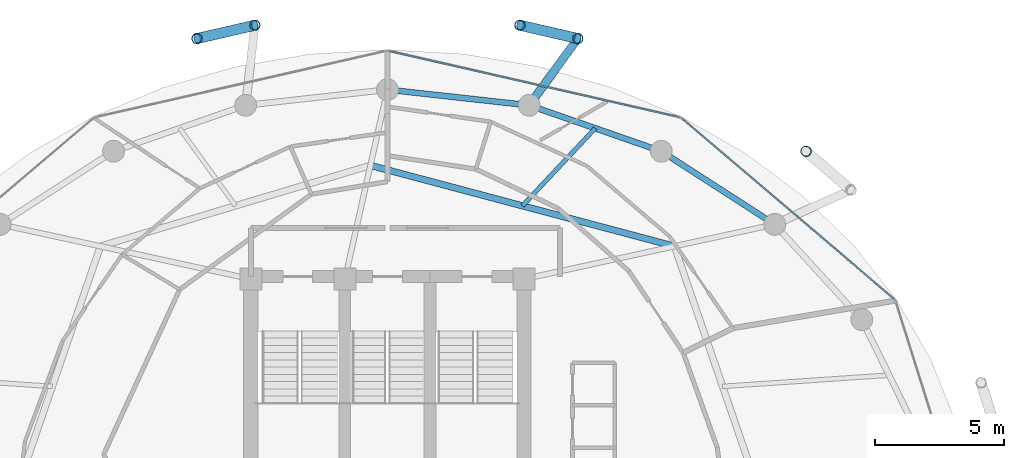
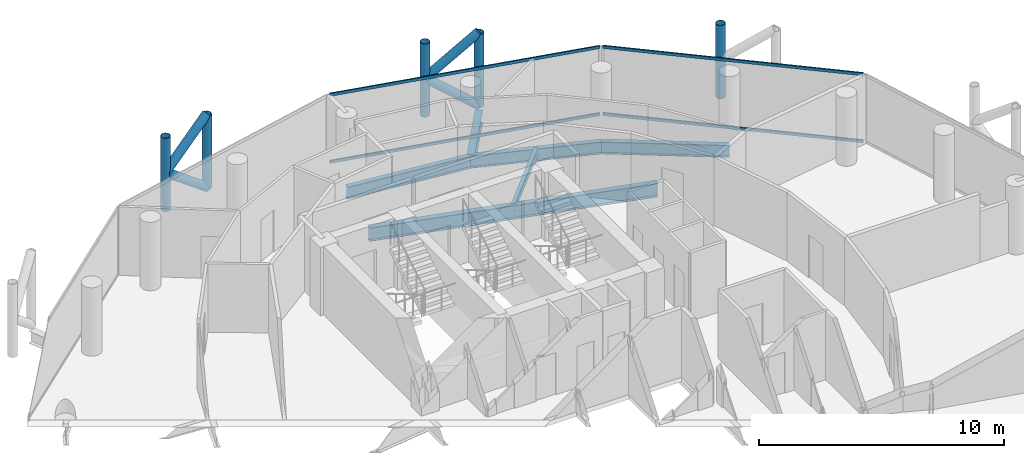
# One storey, part 20 of 27: 13 members, 6 beams, 2 elements without a shape of their own.
"""IFC4 building model written with IfcOpenShell, lengths in metres."""

import ifcopenshell
import ifcopenshell.guid

model = None  # the IFC model being written
_history = None  # IfcOwnerHistory: only IFC2X3 demands one
_inside = {}  # id of a spatial element -> (the spatial element, [elements in it])
_under = {}  # id of a project, library or spatial element -> (it, [spatial elements below it])
_declared = {}  # id of a project -> (the project, [libraries it declares])
_typed = {}  # id of a type object -> (the type object, [elements of that type])
_made_of = {}  # id of a material, layer set ... -> (it, [elements and type objects made of it])


def new_model(schema):
    """Start an empty IFC model of exactly this schema.

    Asked for "IFC4X3", IfcOpenShell would pick the latest addendum, in which some entities
    have other attributes; the version numbers below select the first issue.
    IFC2X3 requires an IfcOwnerHistory on every rooted entity: one is made here for all.
    """
    global model, _history
    if schema == "IFC4X3":
        model = ifcopenshell.file(schema_version=(4, 3, 0, 0))
    else:
        model = ifcopenshell.file(schema=schema)
    _inside.clear()
    _under.clear()
    _declared.clear()
    _typed.clear()
    _made_of.clear()
    _history = None
    if model.schema == "IFC2X3":
        org = make("IfcOrganization", Name="unknown")
        user = make(
            "IfcPersonAndOrganization",
            ThePerson=make("IfcPerson", FamilyName="unknown"),
            TheOrganization=org,
        )
        app = make(
            "IfcApplication",
            ApplicationDeveloper=org,
            Version="unknown",
            ApplicationFullName="unknown",
            ApplicationIdentifier="unknown",
        )
        _history = make(
            "IfcOwnerHistory",
            OwningUser=user,
            OwningApplication=app,
            ChangeAction="ADDED",
            CreationDate=0,
        )
    return model


def make(cls, **values):
    """One entity of the class cls with the attributes given. An attribute that is None is left unset."""
    return model.create_entity(
        cls, **{name: value for name, value in values.items() if value is not None}
    )


def rooted(cls, **values):
    """An entity with a GlobalId (a new one), such as an element, a storey or a relation."""
    return make(cls, GlobalId=ifcopenshell.guid.new(), OwnerHistory=_history, **values)


def si_unit(unit_type, name, prefix=None):
    """IfcSIUnit, for example si_unit("LENGTHUNIT", "METRE", prefix="MILLI")."""
    return make("IfcSIUnit", UnitType=unit_type, Prefix=prefix, Name=name)


def assignment(units):
    """IfcUnitAssignment: the units of a project."""
    return None if units is None else make("IfcUnitAssignment", Units=units)


def point(xyz):
    """IfcCartesianPoint."""
    return None if xyz is None else make("IfcCartesianPoint", Coordinates=xyz)


def direction(xyz):
    """IfcDirection."""
    return None if xyz is None else make("IfcDirection", DirectionRatios=xyz)


def frame(location, z_axis=None, x_axis=None):
    """IfcAxis2Placement3D, a coordinate frame: its origin and axes. An axis left out is left unset."""
    return make(
        "IfcAxis2Placement3D",
        Location=point(location),
        Axis=direction(z_axis),
        RefDirection=direction(x_axis),
    )


def frame_2d(location, x_axis=None):
    """IfcAxis2Placement2D, a coordinate frame in the plane: its origin and x axis."""
    return make(
        "IfcAxis2Placement2D", Location=point(location), RefDirection=direction(x_axis)
    )


def origin():
    """The frame at (0, 0, 0) with its axes left unset."""
    return frame((0.0, 0.0, 0.0))


def origin_2d():
    """The frame at (0, 0) in the plane with its x axis left unset."""
    return frame_2d((0.0, 0.0))


def place(relative_to, where):
    """IfcLocalPlacement: puts the frame where relative to a parent placement (None: the world)."""
    return make(
        "IfcLocalPlacement", PlacementRelTo=relative_to, RelativePlacement=where
    )


def context(
    kind, dimensions, precision=None, world=None, true_north=None, identifier=None
):
    """IfcGeometricRepresentationContext, for example the 3D "Model" context."""
    return make(
        "IfcGeometricRepresentationContext",
        ContextIdentifier=identifier,
        ContextType=kind,
        CoordinateSpaceDimension=dimensions,
        Precision=precision,
        WorldCoordinateSystem=world,
        TrueNorth=true_north,
    )


def subcontext(parent, identifier, kind, view, scale=None):
    """IfcGeometricRepresentationSubContext, for example "Body" below "Model"."""
    return make(
        "IfcGeometricRepresentationSubContext",
        ContextIdentifier=identifier,
        ContextType=kind,
        ParentContext=parent,
        TargetScale=scale,
        TargetView=view,
    )


def project(units=None, contexts=None):
    """IfcProject with its units and contexts."""
    return rooted(
        "IfcProject",
        Name="project",
        RepresentationContexts=contexts,
        UnitsInContext=assignment(units),
    )


def spatial(cls, under=None, at=None, **own):
    """A site, building, storey or space (cls), placed at a placement, below another one or the project."""
    s = rooted(cls, ObjectPlacement=at, **own)
    if under is not None:
        _under.setdefault(under.id(), (under, []))[1].append(s)
    return s


def profile(cls, at=None, kind="AREA", **sizes):
    """A parametric profile (cls). Its sizes go by their IFC names, for example OverallWidth=200.0."""
    return make(cls, ProfileType=kind, Position=at, **sizes)


def hollow_rectangle(**sizes):
    """IfcRectangleHollowProfileDef."""
    return profile("IfcRectangleHollowProfileDef", **sizes)


def hollow_circle(**sizes):
    """IfcCircleHollowProfileDef."""
    return profile("IfcCircleHollowProfileDef", **sizes)


def i_section(**sizes):
    """IfcIShapeProfileDef."""
    return profile("IfcIShapeProfileDef", **sizes)


def extrude(swept, where, along, depth):
    """IfcExtrudedAreaSolid: the profile swept, set in the frame where, extruded along a direction by depth."""
    return make(
        "IfcExtrudedAreaSolid",
        SweptArea=swept,
        Position=where,
        ExtrudedDirection=direction(along),
        Depth=depth,
    )


def shape(context_of_items, identifier, shape_type, items):
    """IfcShapeRepresentation: the items that make up one representation, for example the "Body"."""
    return make(
        "IfcShapeRepresentation",
        ContextOfItems=context_of_items,
        RepresentationIdentifier=identifier,
        RepresentationType=shape_type,
        Items=items,
    )


def material(Name=None, Category=None):
    """IfcMaterial."""
    return make("IfcMaterial", Name=Name, Category=Category)


def layer(
    of_material, thickness, ventilated=None, Name=None, Category=None, Priority=None
):
    """IfcMaterialLayer: one layer of a wall or slab, of a material (None: an air gap)."""
    return make(
        "IfcMaterialLayer",
        Material=of_material,
        LayerThickness=thickness,
        IsVentilated=ventilated,
        Name=Name,
        Category=Category,
        Priority=Priority,
    )


def layer_set(layers, Name=None):
    """IfcMaterialLayerSet."""
    return make("IfcMaterialLayerSet", MaterialLayers=layers, LayerSetName=Name)


def material_profile(
    of_material, cross_section, Name=None, Category=None, Priority=None
):
    """IfcMaterialProfile: a cross section and its material."""
    return make(
        "IfcMaterialProfile",
        Name=Name,
        Material=of_material,
        Profile=cross_section,
        Priority=Priority,
        Category=Category,
    )


def profile_set(profiles, Name=None, composite=None):
    """IfcMaterialProfileSet."""
    return make(
        "IfcMaterialProfileSet",
        Name=Name,
        MaterialProfiles=profiles,
        CompositeProfile=composite,
    )


def made_of(thing, what):
    """Note that an element or type object is made of a material, layer set ...; save() writes the relation."""
    if what is not None:
        _made_of.setdefault(what.id(), (what, []))[1].append(thing)
    return thing


def type_object(cls, material=None, **own):
    """A type object (cls), such as IfcWallType, which elements share."""
    return made_of(rooted(cls, **own), material)


def element(
    cls,
    number,
    at=None,
    inside=None,
    cuts=None,
    type_object=None,
    material=None,
    context=None,
    identifier="Body",
    shape_type=None,
    held_by="IfcProductDefinitionShape",
    body=None,
    shapes=None,
    **own,
):
    """One element of the class cls, such as IfcWall. Its Tag is "e" and its number.

    at: its placement. inside: the storey or other place that contains it. cuts: it is an
    opening in that element (IfcRelVoidsElement). A single representation is given by context,
    identifier, shape_type and body (its items); several are given by shapes. held_by: the class
    of the entity that holds the representations. save() writes the other relations.
    """
    e = rooted(cls, Tag="e%d" % number, ObjectPlacement=at, **own)
    if body is not None:
        shapes = [shape(context, identifier, shape_type, body)]
    if shapes is not None:
        e.Representation = make(held_by, Representations=shapes)
    if inside is not None:
        _inside.setdefault(inside.id(), (inside, []))[1].append(e)
    if cuts is not None:
        rooted(
            "IfcRelVoidsElement", RelatingBuildingElement=cuts, RelatedOpeningElement=e
        )
    if type_object is not None:
        _typed.setdefault(type_object.id(), (type_object, []))[1].append(e)
    return made_of(e, material)


def aggregate(whole, parts):
    """IfcRelAggregates: a whole, such as a stair, and the parts it consists of."""
    return rooted("IfcRelAggregates", RelatingObject=whole, RelatedObjects=parts)


def save(model, path):
    """Write the relations noted so far, then the file.

    IfcRelAggregates (storeys below a building ...), IfcRelContainedInSpatialStructure (elements
    in a storey), IfcRelDefinesByType, IfcRelAssociatesMaterial and IfcRelDeclares: one each for
    every whole, place, type object, material and project.
    """
    for whole, parts in _under.values():
        aggregate(whole, parts)
    for where, things in _inside.values():
        rooted(
            "IfcRelContainedInSpatialStructure",
            RelatedElements=things,
            RelatingStructure=where,
        )
    for kind, things in _typed.values():
        rooted("IfcRelDefinesByType", RelatedObjects=things, RelatingType=kind)
    for what, things in _made_of.values():
        rooted("IfcRelAssociatesMaterial", RelatedObjects=things, RelatingMaterial=what)
    for by, libraries in _declared.values():
        rooted("IfcRelDeclares", RelatingContext=by, RelatedDefinitions=libraries)
    model.write(path)


model = new_model("IFC4")

# Units and contexts
model_context = context("Model", 3, precision=1e-05, world=origin(), true_north=direction((0.0, 1.0)))
body_context = subcontext(model_context, "Body", "Model", "MODEL_VIEW")
ifc_project = project(units=[si_unit("LENGTHUNIT", "METRE"), si_unit("AREAUNIT", "SQUARE_METRE"), si_unit("VOLUMEUNIT", "CUBIC_METRE"), si_unit("PLANEANGLEUNIT", "RADIAN"), si_unit("MASSUNIT", "GRAM", prefix="KILO")], contexts=[model_context])

# Site, building, storey
site_placement = place(None, origin())
site = spatial("IfcSite", under=ifc_project, at=site_placement, CompositionType="ELEMENT")
building_placement = place(site_placement, origin())
building = spatial("IfcBuilding", under=site, at=building_placement, Name="Nuhasar Tower", CompositionType="ELEMENT")
storey_placement = place(building_placement, frame((0.0, 0.0, 237.35009765625)))
storey = spatial("IfcBuildingStorey", under=building, at=storey_placement, Name="L58", CompositionType="ELEMENT", Elevation=237.35009765625)

# Beams
ifc_material_1 = material(Name="Steel S355", Category="steel")
ifc_material_profile_1 = material_profile(ifc_material_1, i_section(OverallWidth=0.25390625, OverallDepth=0.68408203125, WebThickness=0.012451171875, FlangeThickness=0.018798828125, at=origin_2d()), Name="W27X94")
ifc_profile_set_1 = profile_set([ifc_material_profile_1], Name="Steel S355")
beam_type_1 = type_object("IfcBeamType", Name="BM-INRING-W27X94", PredefinedType="BEAM", material=ifc_profile_set_1)
beam_1_placement = place(storey_placement, frame((50.135986328125, 38.572998046875, -0.58203125), z_axis=(-0.966410333243, 0.257004022929, 0.0), x_axis=(-0.257004022929, -0.966410333243, 0.0)))
element("IfcBeam", 1, at=beam_1_placement, inside=storey, type_object=beam_type_1, Name="L58 Inner Header Beam 05", PredefinedType="BEAM", context=body_context, shape_type="SweptSolid", body=[
    extrude(i_section(OverallWidth=0.25390625, OverallDepth=0.68408203125, WebThickness=0.012451171875, FlangeThickness=0.018798828125, at=origin_2d()), origin(), (0.0, 0.0, 1.0), 12.205810546875),
])
ifc_material_profile_2 = material_profile(ifc_material_1, i_section(OverallWidth=0.1708984375, OverallDepth=0.35205078125, WebThickness=0.0068359375, FlangeThickness=0.009765625, at=origin_2d()), Name="W14X30")
ifc_profile_set_2 = profile_set([ifc_material_profile_2], Name="Steel S355")
beam_type_2 = type_object("IfcBeamType", Name="BM-JST-W14X30", PredefinedType="JOIST", material=ifc_profile_set_2)
beam_2_placement = place(storey_placement, frame((44.238037109375, 40.14208984375, -0.416015625), z_axis=(0.684358245116, 0.729145933501, 0.0), x_axis=(-0.729145933501, 0.684358245116, 0.0)))
element("IfcBeam", 2, at=beam_2_placement, inside=storey, type_object=beam_type_2, Name="L58 Secondary Floor Joist 05", PredefinedType="JOIST", context=body_context, shape_type="SweptSolid", body=[
    extrude(i_section(OverallWidth=0.1708984375, OverallDepth=0.35205078125, WebThickness=0.0068359375, FlangeThickness=0.009765625, at=origin_2d()), origin(), (0.0, 0.0, 1.0), 4.12646484375),
])
ifc_material_profile_3 = material_profile(ifc_material_1, i_section(OverallWidth=0.22802734375, OverallDepth=0.60791015625, WebThickness=0.01123046875, FlangeThickness=0.017333984375, at=origin_2d()), Name="W24X76")
ifc_profile_set_3 = profile_set([ifc_material_profile_3], Name="Steel S355")
beam_type_3 = type_object("IfcBeamType", Name="BM-RING-W24X76", PredefinedType="SPANDREL", material=ifc_profile_set_3)
beam_3_placement = place(storey_placement, frame((54.02587890625, 39.422119140625, -0.544189453125), z_axis=(-0.840502144969, 0.541808217272, 0.0), x_axis=(-0.541808217272, -0.840502144969, 0.0)))
element("IfcBeam", 3, at=beam_3_placement, inside=storey, type_object=beam_type_3, Name="L58 Perimeter Ring Spandrel 04", PredefinedType="SPANDREL", context=body_context, shape_type="SweptSolid", body=[
    extrude(i_section(OverallWidth=0.22802734375, OverallDepth=0.60791015625, WebThickness=0.01123046875, FlangeThickness=0.017333984375, at=origin_2d()), origin(), (0.0, 0.0, 1.0), 5.236083984375),
])
beam_4_placement = place(storey_placement, frame((49.625, 42.259033203125, -0.544189453125), z_axis=(-0.944476764686, 0.328578211342, 0.0), x_axis=(-0.328578211342, -0.944476764686, 0.0)))
element("IfcBeam", 4, at=beam_4_placement, inside=storey, type_object=beam_type_3, Name="L58 Perimeter Ring Spandrel 05", PredefinedType="SPANDREL", context=body_context, shape_type="SweptSolid", body=[
    extrude(i_section(OverallWidth=0.22802734375, OverallDepth=0.60791015625, WebThickness=0.01123046875, FlangeThickness=0.017333984375, at=origin_2d()), origin(), (0.0, 0.0, 1.0), 5.42626953125),
])
beam_5_placement = place(storey_placement, frame((44.5, 44.0419921875, -0.544189453125), z_axis=(-0.993947060915, 0.109860093292, 0.0), x_axis=(-0.109860093292, -0.993947060915, 0.0)))
element("IfcBeam", 5, at=beam_5_placement, inside=storey, type_object=beam_type_3, Name="L58 Perimeter Ring Spandrel 06", PredefinedType="SPANDREL", context=body_context, shape_type="SweptSolid", body=[
    extrude(i_section(OverallWidth=0.22802734375, OverallDepth=0.60791015625, WebThickness=0.01123046875, FlangeThickness=0.017333984375, at=origin_2d()), origin(), (0.0, 0.0, 1.0), 5.533447265625),
])
ifc_material_profile_4 = material_profile(ifc_material_1, i_section(OverallWidth=0.323974609375, OverallDepth=0.611083984375, WebThickness=0.0126953125, FlangeThickness=0.01904296875, at=origin_2d()), Name="W24X104")
ifc_profile_set_4 = profile_set([ifc_material_profile_4], Name="Steel S355")
beam_type_4 = type_object("IfcBeamType", Name="BM-TIE-W24X104", PredefinedType="BEAM", material=ifc_profile_set_4)
beam_6_placement = place(storey_placement, frame((44.5, 44.0419921875, -0.545166015625), z_axis=(0.588094663461, 0.808792103577, 0.0), x_axis=(-0.808792103577, 0.588094663461, 0.0)))
element("IfcBeam", 6, at=beam_6_placement, inside=storey, type_object=beam_type_4, Name="L58 Exoskeleton Node Tie Beam 03", PredefinedType="BEAM", context=body_context, shape_type="SweptSolid", body=[
    extrude(i_section(OverallWidth=0.323974609375, OverallDepth=0.611083984375, WebThickness=0.0126953125, FlangeThickness=0.01904296875, at=origin_2d()), origin(), (0.0, 0.0, 1.0), 3.20361328125),
])

# Curtain wall, members
ifc_material_2 = material(Name="Aluminium 6063-T6", Category="aluminium")
ifc_layer = layer(ifc_material_2, 0.18994140625)
ifc_layer_set = layer_set([ifc_layer], Name="Aluminium 6063-T6")
curtain_wall_type = type_object("IfcCurtainWallType", Name="CW-Z3-RES", PredefinedType="NOTDEFINED", material=ifc_layer_set)
curtain_wall_1_placement = place(storey_placement, origin())
curtain_wall_1 = element("IfcCurtainWall", 7, at=curtain_wall_1_placement, inside=storey, type_object=curtain_wall_type, Name="L58 Unitised Curtain Wall 02", PredefinedType="NOTDEFINED")
ifc_material_profile_5 = material_profile(ifc_material_2, hollow_rectangle(XDim=0.06494140625, YDim=0.139892578125, WallThickness=0.00439453125, at=origin_2d()), Name="CWT-4")
ifc_profile_set_5 = profile_set([ifc_material_profile_5], Name="Aluminium 6063-T6")
member_type_1 = type_object("IfcMemberType", Name="CW-TRN-S4", PredefinedType="USERDEFINED", material=ifc_profile_set_5)
member_1_placement = place(storey_placement, frame((58.661376953125, 36.522216796875, 0.032470703125), z_axis=(-0.761730809511, 0.647893643928, 0.0), x_axis=(-0.647893643928, -0.761730809511, 0.0)))
member_1 = element("IfcMember", 8, at=member_1_placement, type_object=member_type_1, Name="CW-Z3 transom 1.1", ObjectType="TRANSOM", PredefinedType="USERDEFINED", context=body_context, shape_type="SweptSolid", body=[
    extrude(hollow_rectangle(XDim=0.06494140625, YDim=0.139892578125, WallThickness=0.00439453125, at=origin_2d()), origin(), (0.0, 0.0, 1.0), 10.806884765625),
])
member_2_placement = place(storey_placement, frame((58.661376953125, 36.522216796875, 3.37744140625), z_axis=(-0.761730809511, 0.647893643928, 0.0), x_axis=(-0.647893643928, -0.761730809511, 0.0)))
member_2 = element("IfcMember", 9, at=member_2_placement, type_object=member_type_1, Name="CW-Z3 transom 1.2", ObjectType="TRANSOM", PredefinedType="USERDEFINED", context=body_context, shape_type="SweptSolid", body=[
    extrude(hollow_rectangle(XDim=0.06494140625, YDim=0.139892578125, WallThickness=0.00439453125, at=origin_2d()), origin(), (0.0, 0.0, 1.0), 10.806884765625),
])
aggregate(curtain_wall_1, [member_1, member_2])

curtain_wall_2_placement = place(storey_placement, origin())
curtain_wall_2 = element("IfcCurtainWall", 10, at=curtain_wall_2_placement, inside=storey, type_object=curtain_wall_type, Name="L58 Unitised Curtain Wall 03", PredefinedType="NOTDEFINED")
member_3_placement = place(storey_placement, frame((50.316650390625, 43.58056640625, 0.032470703125), z_axis=(-0.974994070913, 0.222230874732, 0.0), x_axis=(-0.222230874732, -0.974994070913, 0.0)))
member_3 = element("IfcMember", 11, at=member_3_placement, type_object=member_type_1, Name="CW-Z3 transom 1.1", ObjectType="TRANSOM", PredefinedType="USERDEFINED", context=body_context, shape_type="SweptSolid", body=[
    extrude(hollow_rectangle(XDim=0.06494140625, YDim=0.139892578125, WallThickness=0.00439453125, at=origin_2d()), origin(), (0.0, 0.0, 1.0), 11.541748046875),
])
member_4_placement = place(storey_placement, frame((50.316650390625, 43.58056640625, 3.37744140625), z_axis=(-0.974994070913, 0.222230874732, 0.0), x_axis=(-0.222230874732, -0.974994070913, 0.0)))
member_4 = element("IfcMember", 12, at=member_4_placement, type_object=member_type_1, Name="CW-Z3 transom 1.2", ObjectType="TRANSOM", PredefinedType="USERDEFINED", context=body_context, shape_type="SweptSolid", body=[
    extrude(hollow_rectangle(XDim=0.06494140625, YDim=0.139892578125, WallThickness=0.00439453125, at=origin_2d()), origin(), (0.0, 0.0, 1.0), 11.541748046875),
])
aggregate(curtain_wall_2, [member_3, member_4])

# Members
ifc_material_3 = material(Name="Steel S460", Category="steel")
ifc_material_profile_6 = material_profile(ifc_material_3, hollow_circle(Radius=0.203125, WallThickness=0.01904296875, at=origin_2d()), Name="HSS406.4X19.1")
ifc_profile_set_6 = profile_set([ifc_material_profile_6], Name="Steel S460")
member_type_2 = type_object("IfcMemberType", Name="EXO-BRONZE-406", PredefinedType="BRACE", material=ifc_profile_set_6)
for number, where, z_axis, x_axis, name in (
    (13, (55.239990234375, 42.257080078125, 0.0), (0.0, 0.0, 1.0), (1.0, 0.0, 0.0), "L58 Exoskeleton Chord Column EC-02B"),
    (14, (46.384033203125, 46.633056640625, 0.0), (0.0, 0.0, 1.0), (1.0, 0.0, 0.0), "L58 Exoskeleton Chord Column EC-03A"),
    (15, (44.14306640625, 47.14892578125, 0.0), (0.0, 0.0, 1.0), (1.0, 0.0, 0.0), "L58 Exoskeleton Chord Column EC-03B"),
    (16, (33.85693359375, 47.14892578125, 0.0), (0.0, 0.0, 1.0), (1.0, 0.0, 0.0), "L58 Exoskeleton Chord Column EC-04A"),
    (17, (31.615966796875, 46.633056640625, 0.0), (0.0, 0.0, 1.0), (1.0, 0.0, 0.0), "L58 Exoskeleton Chord Column EC-04B"),
):
    element("IfcMember", number, at=place(storey_placement, frame(where, z_axis=z_axis, x_axis=x_axis)), inside=storey, type_object=member_type_2, Name=name, PredefinedType="BRACE", context=body_context, shape_type="SweptSolid", body=[
        extrude(hollow_circle(Radius=0.203125, WallThickness=0.01904296875, at=origin_2d()), origin(), (0.0, 0.0, 1.0), 3.64990234375),
    ])
for number, where, z_axis, x_axis, name in (
    (18, (46.384033203125, 46.633056640625, 0.0), (-0.763342741922, 0.175721016852, 0.621634927101), (-0.224332214284, -0.974512728308, 0.0), "L58 Bronze Diagrid Brace W1-03"),
    (19, (44.14306640625, 47.14892578125, 1.824951171875), (0.763342741922, -0.175721016852, 0.621634927101), (0.224332214284, 0.974512728308, 0.0), "L58 Bronze Diagrid Brace W2-03"),
    (20, (33.85693359375, 47.14892578125, 0.0), (-0.763342741922, -0.175721016852, 0.621634927101), (0.224332214284, -0.974512728308, 0.0), "L58 Bronze Diagrid Brace W1-04"),
    (21, (31.615966796875, 46.633056640625, 1.824951171875), (0.763342741922, 0.175721016852, 0.621634927101), (-0.224332214284, 0.974512728308, 0.0), "L58 Bronze Diagrid Brace W2-04"),
):
    element("IfcMember", number, at=place(storey_placement, frame(where, z_axis=z_axis, x_axis=x_axis)), inside=storey, type_object=member_type_2, Name=name, PredefinedType="BRACE", context=body_context, shape_type="SweptSolid", body=[
        extrude(hollow_circle(Radius=0.203125, WallThickness=0.01904296875, at=origin_2d()), origin(), (0.0, 0.0, 1.0), 2.935791015625),
    ])

save(model, "model.ifc")
